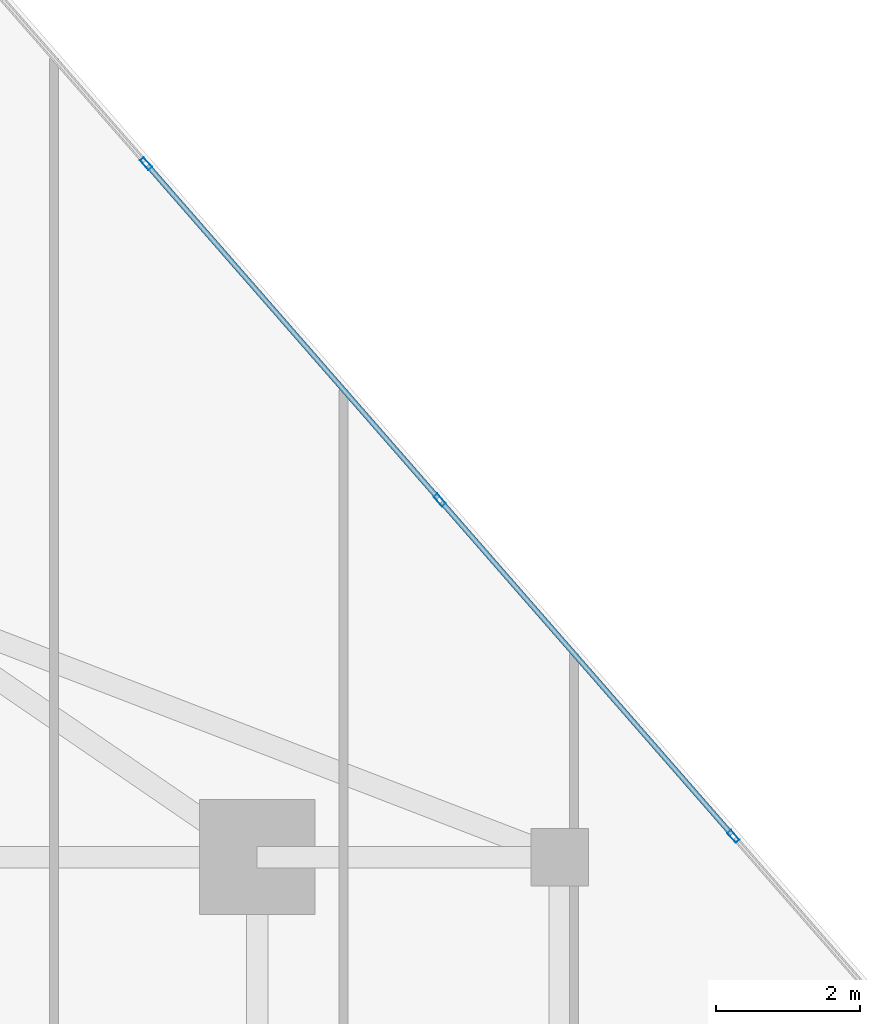
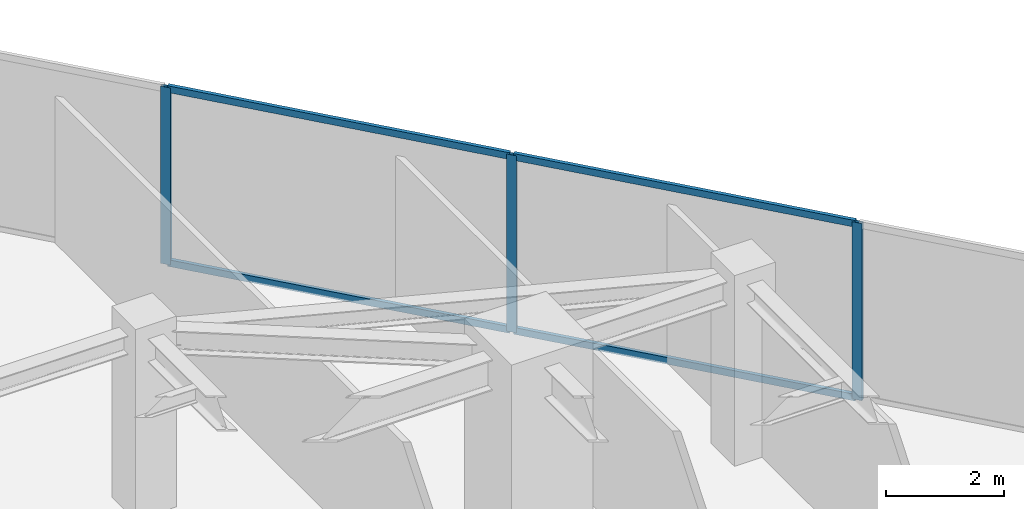
# One storey, part 18 of 24: 7 members, 1 element without a shape of its own.
"""IFC4 building model written with IfcOpenShell, lengths in metres."""

from ifc_helpers import new_model, si_unit, direction, frame, origin, origin_2d, place, context, subcontext, project, spatial, hollow_rectangle, extrude, source, transform, mapped, material, material_profile, profile_set, type_object, type_shapes, element, aggregate, save


model = new_model("IFC4")

# Units and contexts
model_context = context("Model", 3, precision=1e-05, world=origin(), true_north=direction((0.0, 1.0)))
body_context = subcontext(model_context, "Body", "Model", "MODEL_VIEW")
ifc_project = project(units=[si_unit("LENGTHUNIT", "METRE"), si_unit("AREAUNIT", "SQUARE_METRE"), si_unit("VOLUMEUNIT", "CUBIC_METRE"), si_unit("PLANEANGLEUNIT", "RADIAN"), si_unit("MASSUNIT", "GRAM", prefix="KILO")], contexts=[model_context])

# Site, building, storey
site_placement = place(None, origin())
site = spatial("IfcSite", under=ifc_project, at=site_placement, CompositionType="ELEMENT")
building_placement = place(site_placement, origin())
building = spatial("IfcBuilding", under=site, at=building_placement, Name="Krantzveldt Concourse Tower", CompositionType="ELEMENT")
storey_placement = place(building_placement, frame((0.0, 0.0, 250.75)))
storey = spatial("IfcBuildingStorey", under=building, at=storey_placement, Name="L61", CompositionType="ELEMENT", Elevation=250.75)

# Curtain wall, members
ifc_material = material(Name="Anodised aluminium 6063-T6", Category="aluminium")
curtain_wall_type = type_object("IfcCurtainWallType", Name="CW3", PredefinedType="USERDEFINED", material=ifc_material)
curtain_wall_placement = place(storey_placement, origin())
curtain_wall = element("IfcCurtainWall", 1, at=curtain_wall_placement, inside=storey, type_object=curtain_wall_type, Name="CW-L61-F10", ObjectType="UNITISED CURTAIN WALL", PredefinedType="USERDEFINED")
ifc_material_profile_1 = material_profile(ifc_material, hollow_rectangle(XDim=0.070068359375, YDim=0.179931640625, WallThickness=0.0048828125, at=origin_2d()), Name="Anodised aluminium 6063-T6", Category="aluminium")
ifc_profile_set_1 = profile_set([ifc_material_profile_1], Name="Anodised aluminium 6063-T6 - ALU-MULL 180x70x5")
member_type_1 = type_object("IfcMemberType", Name="CW-MUL-180", PredefinedType="MULLION", material=ifc_profile_set_1)
shared_shape_1 = source(origin(), body_context, "Body", "SweptSolid", [
    extrude(hollow_rectangle(XDim=0.070068359375, YDim=0.179931640625, WallThickness=0.0048828125, at=origin_2d()), origin(), (0.0, 0.0, 1.0), 3.669921875),
])
type_shapes(member_type_1, [shared_shape_1])
member_1_placement = place(storey_placement, frame((53.413330078125, 37.78857421875, 0.0), z_axis=(0.0, 0.0, 1.0), x_axis=(-0.753276529034, -0.657703938567, 0.0)))
member_1 = element("IfcMember", 2, at=member_1_placement, type_object=member_type_1, Name="CW-Z34 mullion 3", PredefinedType="MULLION", context=body_context, shape_type="MappedRepresentation", body=[
    mapped(shared_shape_1, transform((0.0, 0.0, 0.0), x_axis=(1.0, 0.0, 0.0), y_axis=(0.0, 1.0, 0.0), z_axis=(0.0, 0.0, 1.0), scale=1.0)),
])
member_2_placement = place(storey_placement, frame((49.33544921875, 42.458984375, 0.0), z_axis=(0.0, 0.0, 1.0), x_axis=(-0.753276529034, -0.657703938567, 0.0)))
member_2 = element("IfcMember", 3, at=member_2_placement, type_object=member_type_1, Name="CW-Z34 mullion 4", PredefinedType="MULLION", context=body_context, shape_type="MappedRepresentation", body=[
    mapped(shared_shape_1, transform((0.0, 0.0, 0.0), x_axis=(1.0, 0.0, 0.0), y_axis=(0.0, 1.0, 0.0), z_axis=(0.0, 0.0, 1.0), scale=1.0)),
])
member_3_placement = place(storey_placement, frame((45.2578125, 47.129150390625, 0.0), z_axis=(0.0, 0.0, 1.0), x_axis=(-0.753276529034, -0.657703938567, 0.0)))
member_3 = element("IfcMember", 4, at=member_3_placement, type_object=member_type_1, Name="CW-Z34 mullion 5", PredefinedType="MULLION", context=body_context, shape_type="MappedRepresentation", body=[
    mapped(shared_shape_1, transform((0.0, 0.0, 0.0), x_axis=(1.0, 0.0, 0.0), y_axis=(0.0, 1.0, 0.0), z_axis=(0.0, 0.0, 1.0), scale=1.0)),
])
ifc_material_profile_2 = material_profile(ifc_material, hollow_rectangle(XDim=0.070068359375, YDim=0.139892578125, WallThickness=0.0048828125, at=origin_2d()), Name="Anodised aluminium 6063-T6", Category="aluminium")
ifc_profile_set_2 = profile_set([ifc_material_profile_2], Name="Anodised aluminium 6063-T6 - ALU-TRAN 140x70x5")
member_type_2 = type_object("IfcMemberType", Name="CW-TRN-150", PredefinedType="USERDEFINED", material=ifc_profile_set_2)
shared_shape_2 = source(origin(), body_context, "Body", "SweptSolid", [
    extrude(hollow_rectangle(XDim=0.070068359375, YDim=0.139892578125, WallThickness=0.0048828125, at=origin_2d()), origin(), (0.0, 0.0, 1.0), 6.130126953125),
])
member_4_placement = place(storey_placement, frame((53.39013671875, 37.81494140625, 0.034912109375), z_axis=(-0.657697827635, 0.753281864593, 0.0), x_axis=(-0.753281864593, -0.657697827635, 0.0)))
member_4 = element("IfcMember", 5, at=member_4_placement, type_object=member_type_2, Name="CW-Z34 transom 3.1", ObjectType="TRANSOM", PredefinedType="USERDEFINED", context=body_context, shape_type="MappedRepresentation", body=[
    mapped(shared_shape_2, transform((0.0, 0.0, 0.0), x_axis=(1.0, 0.0, 0.0), y_axis=(0.0, 1.0, 0.0), z_axis=(0.0, 0.0, 1.0), scale=1.0)),
])
member_5_placement = place(storey_placement, frame((53.39013671875, 37.81494140625, 3.635009765625), z_axis=(-0.657697827635, 0.753281864593, 0.0), x_axis=(-0.753281864593, -0.657697827635, 0.0)))
member_5 = element("IfcMember", 6, at=member_5_placement, type_object=member_type_2, Name="CW-Z34 transom 3.2", ObjectType="TRANSOM", PredefinedType="USERDEFINED", context=body_context, shape_type="MappedRepresentation", body=[
    mapped(shared_shape_2, transform((0.0, 0.0, 0.0), x_axis=(1.0, 0.0, 0.0), y_axis=(0.0, 1.0, 0.0), z_axis=(0.0, 0.0, 1.0), scale=1.0)),
])
shared_shape_3 = source(origin(), body_context, "Body", "SweptSolid", [
    extrude(hollow_rectangle(XDim=0.070068359375, YDim=0.139892578125, WallThickness=0.0048828125, at=origin_2d()), origin(), (0.0, 0.0, 1.0), 6.1298828125),
])
type_shapes(member_type_2, [shared_shape_2, shared_shape_3])
member_6_placement = place(storey_placement, frame((49.3125, 42.4853515625, 0.034912109375), z_axis=(-0.657717559408, 0.753264636132, 0.0), x_axis=(-0.753264636132, -0.657717559408, 0.0)))
member_6 = element("IfcMember", 7, at=member_6_placement, type_object=member_type_2, Name="CW-Z34 transom 4.1", ObjectType="TRANSOM", PredefinedType="USERDEFINED", context=body_context, shape_type="MappedRepresentation", body=[
    mapped(shared_shape_3, transform((0.0, 0.0, 0.0), x_axis=(1.0, 0.0, 0.0), y_axis=(0.0, 1.0, 0.0), z_axis=(0.0, 0.0, 1.0), scale=1.0)),
])
member_7_placement = place(storey_placement, frame((49.3125, 42.4853515625, 3.635009765625), z_axis=(-0.657717559408, 0.753264636132, 0.0), x_axis=(-0.753264636132, -0.657717559408, 0.0)))
member_7 = element("IfcMember", 8, at=member_7_placement, type_object=member_type_2, Name="CW-Z34 transom 4.2", ObjectType="TRANSOM", PredefinedType="USERDEFINED", context=body_context, shape_type="MappedRepresentation", body=[
    mapped(shared_shape_3, transform((0.0, 0.0, 0.0), x_axis=(1.0, 0.0, 0.0), y_axis=(0.0, 1.0, 0.0), z_axis=(0.0, 0.0, 1.0), scale=1.0)),
])
aggregate(curtain_wall, [member_1, member_2, member_3, member_4, member_5, member_6, member_7])

save(model, "model.ifc")
